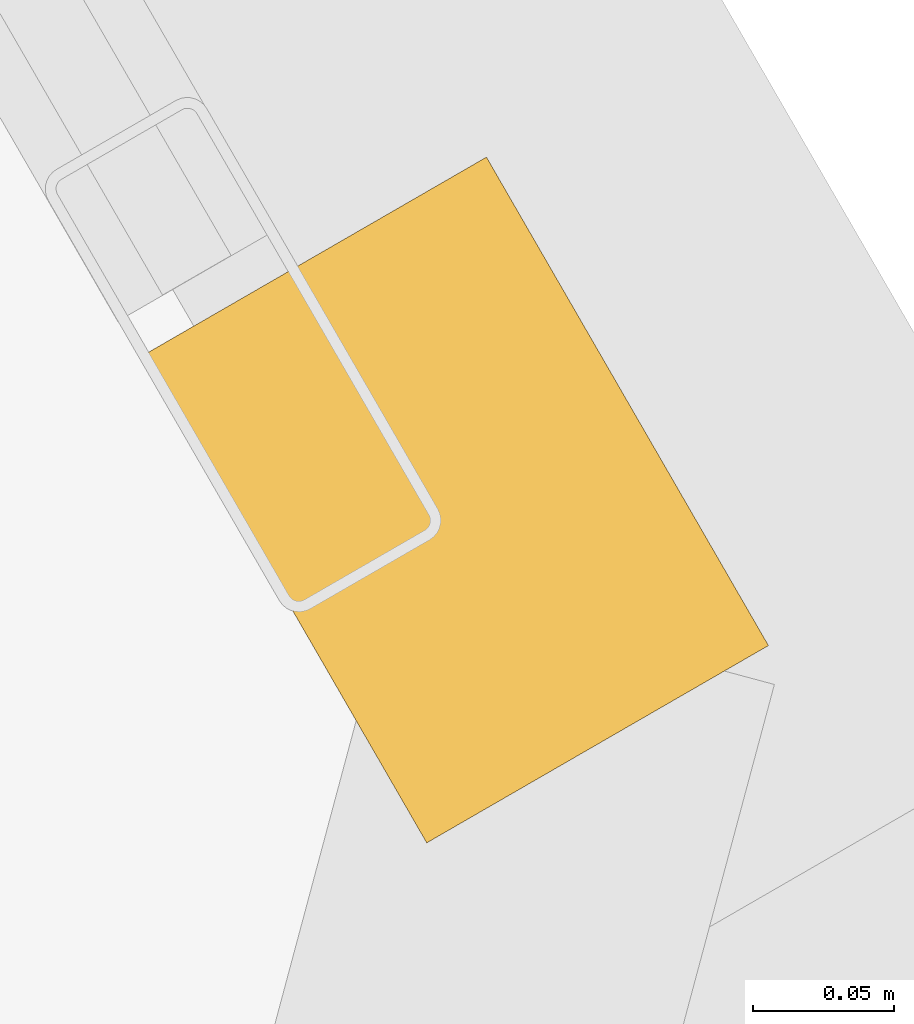
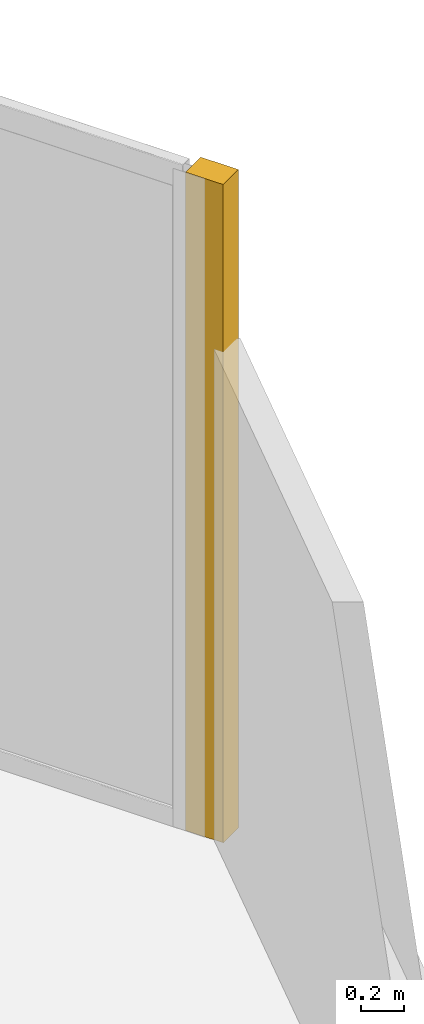
# One storey, part 27 of 27: 1 covering.
"""IFC4 building model written with IfcOpenShell, lengths in metres."""

from ifc_helpers import new_model, si_unit, direction, frame, origin, origin_2d, place, context, subcontext, project, spatial, rectangle, extrude, source, transform, mapped, material, layer, layer_set, type_object, element, save


model = new_model("IFC4")

# Units and contexts
model_context = context("Model", 3, precision=1e-05, world=origin(), true_north=direction((0.0, 1.0)))
body_context = subcontext(model_context, "Body", "Model", "MODEL_VIEW")
ifc_project = project(units=[si_unit("LENGTHUNIT", "METRE"), si_unit("AREAUNIT", "SQUARE_METRE"), si_unit("VOLUMEUNIT", "CUBIC_METRE"), si_unit("PLANEANGLEUNIT", "RADIAN"), si_unit("MASSUNIT", "GRAM", prefix="KILO")], contexts=[model_context])

# Site, building, storey
site_placement = place(None, origin())
site = spatial("IfcSite", under=ifc_project, at=site_placement, CompositionType="ELEMENT")
building_placement = place(site_placement, origin())
building = spatial("IfcBuilding", under=site, at=building_placement, Name="Torre Montelarca", CompositionType="ELEMENT")
storey_placement = place(building_placement, frame((0.0, 0.0, 108.39990234375)))
storey = spatial("IfcBuildingStorey", under=building, at=storey_placement, Name="L24", CompositionType="ELEMENT", Elevation=108.39990234375)

# Covering
ifc_material = material(Name="Bush-hammered warm white precast concrete C45/55", Category="concrete")
ifc_layer = layer(ifc_material, 0.139892578125, Name="Bush-hammered warm white precast concrete C45/55", Category="concrete")
ifc_layer_set = layer_set([ifc_layer], Name="Bush-hammered warm white precast concrete C45/55")
covering_type = type_object("IfcCoveringType", Name="COV-TRAY-CLAD", PredefinedType="CLADDING", material=ifc_layer_set)
shared_shape = source(origin(), body_context, "Body", "SweptSolid", [
    extrude(rectangle(XDim=0.199951171875, YDim=0.139892578125, at=origin_2d()), origin(), (0.0, 0.0, 1.0), 3.719970703125),
])
covering_placement = place(storey_placement, frame((62.44970703125, 33.1591796875, 0.0), z_axis=(0.0, 0.0, 1.0), x_axis=(-0.500007557478, 0.866021040428, 0.0)))
element("IfcCovering", 1, at=covering_placement, inside=storey, type_object=covering_type, Name="L24 Architectural Column Pier Cladding E07-1", PredefinedType="CLADDING", context=body_context, shape_type="MappedRepresentation", body=[
    mapped(shared_shape, transform((0.0, 0.0, 0.0), scale=1.0)),
])

save(model, "model.ifc")
